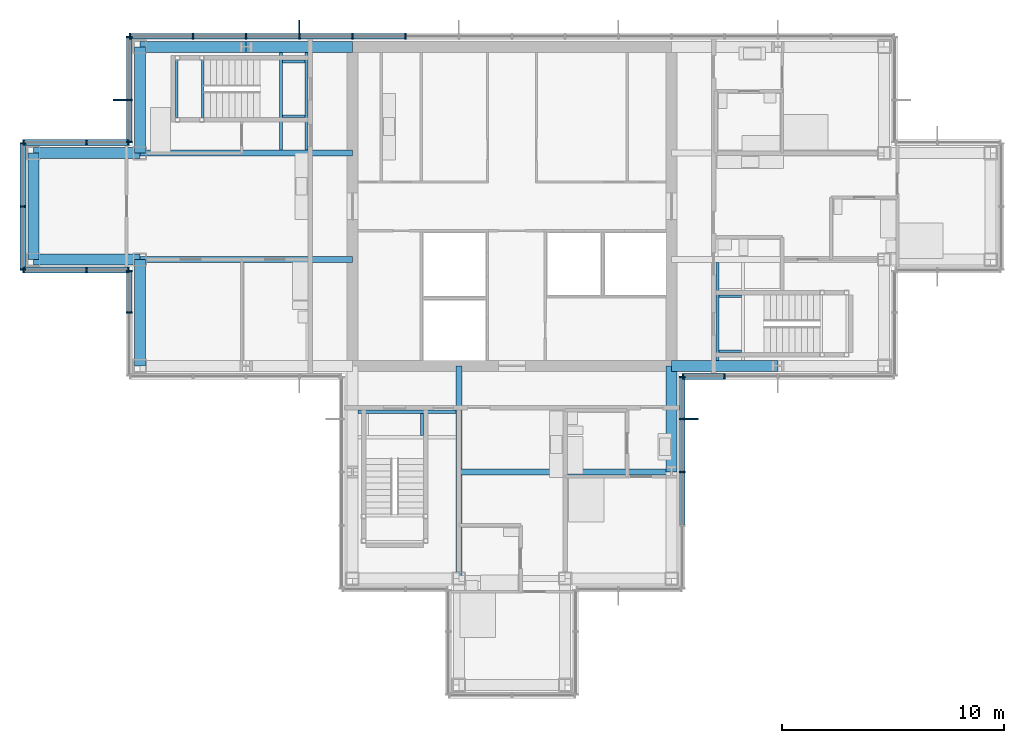
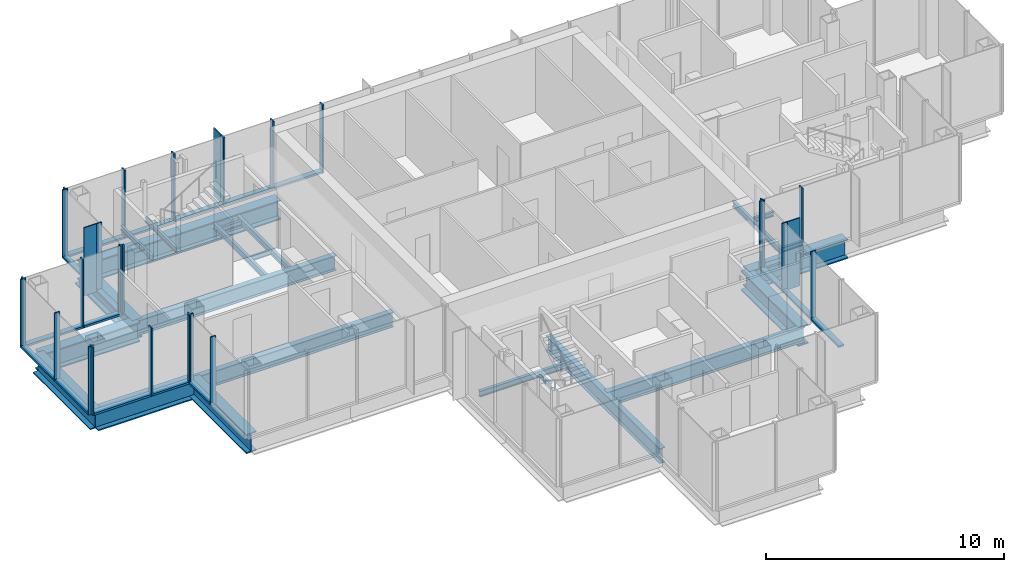
# One storey, part 6 of 15: 46 members, 24 beams, 8 elements without a shape of their own.
"""IFC4 building model written with IfcOpenShell, lengths in metres."""

from ifc_helpers import new_model, si_unit, direction, frame, origin, origin_2d, place, context, subcontext, project, spatial, rectangle, i_section, extrude, material, material_profile, profile_set, type_object, element, aggregate, save


model = new_model("IFC4")

# Units and contexts
model_context = context("Model", 3, precision=1e-05, world=origin(), true_north=direction((0.0, 1.0)))
body_context = subcontext(model_context, "Body", "Model", "MODEL_VIEW")
ifc_project = project(units=[si_unit("LENGTHUNIT", "METRE"), si_unit("AREAUNIT", "SQUARE_METRE"), si_unit("VOLUMEUNIT", "CUBIC_METRE"), si_unit("PLANEANGLEUNIT", "RADIAN"), si_unit("MASSUNIT", "GRAM", prefix="KILO")], contexts=[model_context])

# Site, building, storey
site_placement = place(None, origin())
site = spatial("IfcSite", under=ifc_project, at=site_placement, CompositionType="ELEMENT")
building_placement = place(site_placement, origin())
building = spatial("IfcBuilding", under=site, at=building_placement, Name="Kvirike Care Tower", CompositionType="ELEMENT")
storey_placement = place(building_placement, frame((0.0, 0.0, 222.5)))
storey = spatial("IfcBuildingStorey", under=building, at=storey_placement, Name="L61", CompositionType="ELEMENT", Elevation=222.5)

# Curtain wall, member
ifc_material_1 = material(Name="Anodised aluminium stick system", Category="aluminium")
curtain_wall_type = type_object("IfcCurtainWallType", Name="CW-D STICK CURTAIN WALL", PredefinedType="NOTDEFINED", material=ifc_material_1)
curtain_wall_1_placement = place(storey_placement, origin())
curtain_wall_1 = element("IfcCurtainWall", 1, at=curtain_wall_1_placement, inside=storey, type_object=curtain_wall_type, Name="Curtain wall L61 face 7", PredefinedType="NOTDEFINED")
ifc_material_2 = material(Name="Bronze anodised aluminium fin", Category="aluminium")
ifc_material_profile_1 = material_profile(ifc_material_2, rectangle(XDim=0.050048828125, YDim=0.60009765625, at=origin_2d()), Name="BRONZE FIN 600")
ifc_profile_set_1 = profile_set([ifc_material_profile_1], Name="Bronze anodised aluminium fin")
member_type_1 = type_object("IfcMemberType", Name="BRONZE FIN 600", PredefinedType="USERDEFINED", material=ifc_profile_set_1)
member_1_placement = place(storey_placement, frame((12.0, 44.110107421875, 0.0), z_axis=(0.0, 0.0, 1.0), x_axis=(-1.0, 0.0, 0.0)))
member_1 = element("IfcMember", 2, at=member_1_placement, type_object=member_type_1, Name="Bronze fin L61 face 7.12", ObjectType="FIN", PredefinedType="USERDEFINED", context=body_context, shape_type="SweptSolid", body=[
    extrude(rectangle(XDim=0.050048828125, YDim=0.60009765625, at=origin_2d()), origin(), (0.0, 0.0, 1.0), 3.5),
])

curtain_wall_2_placement = place(storey_placement, origin())
curtain_wall_2 = element("IfcCurtainWall", 3, at=curtain_wall_2_placement, inside=storey, type_object=curtain_wall_type, Name="Curtain wall L61 face 8", PredefinedType="NOTDEFINED")
member_2_placement = place(storey_placement, frame((3.889892578125, 40.800048828125, 0.0), z_axis=(0.0, 0.0, 1.0), x_axis=(0.0, -1.0, 0.0)))
member_2 = element("IfcMember", 4, at=member_2_placement, type_object=member_type_1, Name="Bronze fin L61 face 8.2", ObjectType="FIN", PredefinedType="USERDEFINED", context=body_context, shape_type="SweptSolid", body=[
    extrude(rectangle(XDim=0.050048828125, YDim=0.60009765625, at=origin_2d()), origin(), (0.0, 0.0, 1.0), 3.5),
])

curtain_wall_3_placement = place(storey_placement, origin())
curtain_wall_3 = element("IfcCurtainWall", 5, at=curtain_wall_3_placement, inside=storey, type_object=curtain_wall_type, Name="Curtain wall L61 face 20", PredefinedType="NOTDEFINED")
member_3_placement = place(storey_placement, frame((29.7099609375, 26.39990234375, 0.0), z_axis=(0.0, 0.0, 1.0), x_axis=(0.0, 1.0, 0.0)))
member_3 = element("IfcMember", 6, at=member_3_placement, type_object=member_type_1, Name="Bronze fin L61 face 20.4", ObjectType="FIN", PredefinedType="USERDEFINED", context=body_context, shape_type="SweptSolid", body=[
    extrude(rectangle(XDim=0.050048828125, YDim=0.60009765625, at=origin_2d()), origin(), (0.0, 0.0, 1.0), 3.5),
])

# Curtain wall, members
curtain_wall_4_placement = place(storey_placement, origin())
curtain_wall_4 = element("IfcCurtainWall", 7, at=curtain_wall_4_placement, inside=storey, type_object=curtain_wall_type, Name="Curtain wall L61 face 1", PredefinedType="NOTDEFINED")
ifc_material_3 = material(Name="Bronze anodised aluminium mullion", Category="aluminium")
ifc_material_profile_2 = material_profile(ifc_material_3, rectangle(XDim=0.06494140625, YDim=0.260009765625, at=origin_2d()), Name="CW-D MULLION 65x260")
ifc_profile_set_2 = profile_set([ifc_material_profile_2], Name="Bronze anodised aluminium mullion")
member_type_2 = type_object("IfcMemberType", Name="CW-D MULLION 65x260", PredefinedType="MULLION", material=ifc_profile_set_2)
member_4_placement = place(storey_placement, frame((29.3125, 28.320068359375, 0.0), z_axis=(0.0, 0.0, 1.0), x_axis=(1.0, 0.0, 0.0)))
member_4 = element("IfcMember", 8, at=member_4_placement, type_object=member_type_2, Name="CW-D mullion L61 face 1.1", PredefinedType="MULLION", context=body_context, shape_type="SweptSolid", body=[
    extrude(rectangle(XDim=0.06494140625, YDim=0.260009765625, at=origin_2d()), origin(), (0.0, 0.0, 1.0), 3.5),
])
member_5_placement = place(storey_placement, frame((31.199951171875, 28.320068359375, 0.0), z_axis=(0.0, 0.0, 1.0), x_axis=(1.0, 0.0, 0.0)))
member_5 = element("IfcMember", 9, at=member_5_placement, type_object=member_type_2, Name="CW-D mullion L61 face 1.2", PredefinedType="MULLION", context=body_context, shape_type="SweptSolid", body=[
    extrude(rectangle(XDim=0.06494140625, YDim=0.260009765625, at=origin_2d()), origin(), (0.0, 0.0, 1.0), 3.5),
])

# Member
member_6_placement = place(storey_placement, frame((16.800048828125, 43.679931640625, 0.0), z_axis=(0.0, 0.0, 1.0), x_axis=(-1.0, 0.0, 0.0)))
member_6 = element("IfcMember", 10, at=member_6_placement, type_object=member_type_2, Name="CW-D mullion L61 face 7.10", PredefinedType="MULLION", context=body_context, shape_type="SweptSolid", body=[
    extrude(rectangle(XDim=0.06494140625, YDim=0.260009765625, at=origin_2d()), origin(), (0.0, 0.0, 1.0), 3.5),
])

member_7_placement = place(storey_placement, frame((14.39990234375, 43.679931640625, 0.0), z_axis=(0.0, 0.0, 1.0), x_axis=(-1.0, 0.0, 0.0)))
member_7 = element("IfcMember", 11, at=member_7_placement, type_object=member_type_2, Name="CW-D mullion L61 face 7.11", PredefinedType="MULLION", context=body_context, shape_type="SweptSolid", body=[
    extrude(rectangle(XDim=0.06494140625, YDim=0.260009765625, at=origin_2d()), origin(), (0.0, 0.0, 1.0), 3.5),
])

member_8_placement = place(storey_placement, frame((12.0, 43.679931640625, 0.0), z_axis=(0.0, 0.0, 1.0), x_axis=(-1.0, 0.0, 0.0)))
member_8 = element("IfcMember", 12, at=member_8_placement, type_object=member_type_2, Name="CW-D mullion L61 face 7.12", PredefinedType="MULLION", context=body_context, shape_type="SweptSolid", body=[
    extrude(rectangle(XDim=0.06494140625, YDim=0.260009765625, at=origin_2d()), origin(), (0.0, 0.0, 1.0), 3.5),
])

member_9_placement = place(storey_placement, frame((9.60009765625, 43.679931640625, 0.0), z_axis=(0.0, 0.0, 1.0), x_axis=(-1.0, 0.0, 0.0)))
member_9 = element("IfcMember", 13, at=member_9_placement, type_object=member_type_2, Name="CW-D mullion L61 face 7.13", PredefinedType="MULLION", context=body_context, shape_type="SweptSolid", body=[
    extrude(rectangle(XDim=0.06494140625, YDim=0.260009765625, at=origin_2d()), origin(), (0.0, 0.0, 1.0), 3.5),
])

member_10_placement = place(storey_placement, frame((7.199951171875, 43.679931640625, 0.0), z_axis=(0.0, 0.0, 1.0), x_axis=(-1.0, 0.0, 0.0)))
member_10 = element("IfcMember", 14, at=member_10_placement, type_object=member_type_2, Name="CW-D mullion L61 face 7.14", PredefinedType="MULLION", context=body_context, shape_type="SweptSolid", body=[
    extrude(rectangle(XDim=0.06494140625, YDim=0.260009765625, at=origin_2d()), origin(), (0.0, 0.0, 1.0), 3.5),
])

member_11_placement = place(storey_placement, frame((4.3525390625, 43.679931640625, 0.0), z_axis=(0.0, 0.0, 1.0), x_axis=(-1.0, 0.0, 0.0)))
member_11 = element("IfcMember", 15, at=member_11_placement, type_object=member_type_2, Name="CW-D mullion L61 face 7.15", PredefinedType="MULLION", context=body_context, shape_type="SweptSolid", body=[
    extrude(rectangle(XDim=0.06494140625, YDim=0.260009765625, at=origin_2d()), origin(), (0.0, 0.0, 1.0), 3.5),
])

member_12_placement = place(storey_placement, frame((4.320068359375, 43.6474609375, 0.0), z_axis=(0.0, 0.0, 1.0), x_axis=(0.0, -1.0, 0.0)))
member_12 = element("IfcMember", 16, at=member_12_placement, type_object=member_type_2, Name="CW-D mullion L61 face 8.1", PredefinedType="MULLION", context=body_context, shape_type="SweptSolid", body=[
    extrude(rectangle(XDim=0.06494140625, YDim=0.260009765625, at=origin_2d()), origin(), (0.0, 0.0, 1.0), 3.5),
])

member_13_placement = place(storey_placement, frame((4.320068359375, 40.800048828125, 0.0), z_axis=(0.0, 0.0, 1.0), x_axis=(0.0, -1.0, 0.0)))
member_13 = element("IfcMember", 17, at=member_13_placement, type_object=member_type_2, Name="CW-D mullion L61 face 8.2", PredefinedType="MULLION", context=body_context, shape_type="SweptSolid", body=[
    extrude(rectangle(XDim=0.06494140625, YDim=0.260009765625, at=origin_2d()), origin(), (0.0, 0.0, 1.0), 3.5),
])

member_14_placement = place(storey_placement, frame((4.320068359375, 38.91259765625, 0.0), z_axis=(0.0, 0.0, 1.0), x_axis=(0.0, -1.0, 0.0)))
member_14 = element("IfcMember", 18, at=member_14_placement, type_object=member_type_2, Name="CW-D mullion L61 face 8.3", PredefinedType="MULLION", context=body_context, shape_type="SweptSolid", body=[
    extrude(rectangle(XDim=0.06494140625, YDim=0.260009765625, at=origin_2d()), origin(), (0.0, 0.0, 1.0), 3.5),
])

# Curtain wall, members
curtain_wall_5_placement = place(storey_placement, origin())
curtain_wall_5 = element("IfcCurtainWall", 19, at=curtain_wall_5_placement, inside=storey, type_object=curtain_wall_type, Name="Curtain wall L61 face 9", PredefinedType="NOTDEFINED")
member_15_placement = place(storey_placement, frame((4.28759765625, 38.8798828125, 0.0), z_axis=(0.0, 0.0, 1.0), x_axis=(-1.0, 0.0, 0.0)))
member_15 = element("IfcMember", 20, at=member_15_placement, type_object=member_type_2, Name="CW-D mullion L61 face 9.1", PredefinedType="MULLION", context=body_context, shape_type="SweptSolid", body=[
    extrude(rectangle(XDim=0.06494140625, YDim=0.260009765625, at=origin_2d()), origin(), (0.0, 0.0, 1.0), 3.5),
])
member_16_placement = place(storey_placement, frame((2.39990234375, 38.8798828125, 0.0), z_axis=(0.0, 0.0, 1.0), x_axis=(-1.0, 0.0, 0.0)))
member_16 = element("IfcMember", 21, at=member_16_placement, type_object=member_type_2, Name="CW-D mullion L61 face 9.2", PredefinedType="MULLION", context=body_context, shape_type="SweptSolid", body=[
    extrude(rectangle(XDim=0.06494140625, YDim=0.260009765625, at=origin_2d()), origin(), (0.0, 0.0, 1.0), 3.5),
])
member_17_placement = place(storey_placement, frame((-0.447509765625, 38.8798828125, 0.0), z_axis=(0.0, 0.0, 1.0), x_axis=(-1.0, 0.0, 0.0)))
member_17 = element("IfcMember", 22, at=member_17_placement, type_object=member_type_2, Name="CW-D mullion L61 face 9.3", PredefinedType="MULLION", context=body_context, shape_type="SweptSolid", body=[
    extrude(rectangle(XDim=0.06494140625, YDim=0.260009765625, at=origin_2d()), origin(), (0.0, 0.0, 1.0), 3.5),
])

curtain_wall_6_placement = place(storey_placement, origin())
curtain_wall_6 = element("IfcCurtainWall", 23, at=curtain_wall_6_placement, inside=storey, type_object=curtain_wall_type, Name="Curtain wall L61 face 10", PredefinedType="NOTDEFINED")
member_18_placement = place(storey_placement, frame((-0.47998046875, 38.847412109375, 0.0), z_axis=(0.0, 0.0, 1.0), x_axis=(0.0, -1.0, 0.0)))
member_18 = element("IfcMember", 24, at=member_18_placement, type_object=member_type_2, Name="CW-D mullion L61 face 10.1", PredefinedType="MULLION", context=body_context, shape_type="SweptSolid", body=[
    extrude(rectangle(XDim=0.06494140625, YDim=0.260009765625, at=origin_2d()), origin(), (0.0, 0.0, 1.0), 3.5),
])
member_19_placement = place(storey_placement, frame((-0.47998046875, 36.0, 0.0), z_axis=(0.0, 0.0, 1.0), x_axis=(0.0, -1.0, 0.0)))
member_19 = element("IfcMember", 25, at=member_19_placement, type_object=member_type_2, Name="CW-D mullion L61 face 10.2", PredefinedType="MULLION", context=body_context, shape_type="SweptSolid", body=[
    extrude(rectangle(XDim=0.06494140625, YDim=0.260009765625, at=origin_2d()), origin(), (0.0, 0.0, 1.0), 3.5),
])
member_20_placement = place(storey_placement, frame((-0.47998046875, 33.152587890625, 0.0), z_axis=(0.0, 0.0, 1.0), x_axis=(0.0, -1.0, 0.0)))
member_20 = element("IfcMember", 26, at=member_20_placement, type_object=member_type_2, Name="CW-D mullion L61 face 10.3", PredefinedType="MULLION", context=body_context, shape_type="SweptSolid", body=[
    extrude(rectangle(XDim=0.06494140625, YDim=0.260009765625, at=origin_2d()), origin(), (0.0, 0.0, 1.0), 3.5),
])

curtain_wall_7_placement = place(storey_placement, origin())
curtain_wall_7 = element("IfcCurtainWall", 27, at=curtain_wall_7_placement, inside=storey, type_object=curtain_wall_type, Name="Curtain wall L61 face 11", PredefinedType="NOTDEFINED")
member_21_placement = place(storey_placement, frame((-0.447509765625, 33.1201171875, 0.0), z_axis=(0.0, 0.0, 1.0), x_axis=(1.0, 0.0, 0.0)))
member_21 = element("IfcMember", 28, at=member_21_placement, type_object=member_type_2, Name="CW-D mullion L61 face 11.1", PredefinedType="MULLION", context=body_context, shape_type="SweptSolid", body=[
    extrude(rectangle(XDim=0.06494140625, YDim=0.260009765625, at=origin_2d()), origin(), (0.0, 0.0, 1.0), 3.5),
])
member_22_placement = place(storey_placement, frame((2.39990234375, 33.1201171875, 0.0), z_axis=(0.0, 0.0, 1.0), x_axis=(1.0, 0.0, 0.0)))
member_22 = element("IfcMember", 29, at=member_22_placement, type_object=member_type_2, Name="CW-D mullion L61 face 11.2", PredefinedType="MULLION", context=body_context, shape_type="SweptSolid", body=[
    extrude(rectangle(XDim=0.06494140625, YDim=0.260009765625, at=origin_2d()), origin(), (0.0, 0.0, 1.0), 3.5),
])
member_23_placement = place(storey_placement, frame((4.28759765625, 33.1201171875, 0.0), z_axis=(0.0, 0.0, 1.0), x_axis=(1.0, 0.0, 0.0)))
member_23 = element("IfcMember", 30, at=member_23_placement, type_object=member_type_2, Name="CW-D mullion L61 face 11.3", PredefinedType="MULLION", context=body_context, shape_type="SweptSolid", body=[
    extrude(rectangle(XDim=0.06494140625, YDim=0.260009765625, at=origin_2d()), origin(), (0.0, 0.0, 1.0), 3.5),
])

curtain_wall_8_placement = place(storey_placement, origin())
curtain_wall_8 = element("IfcCurtainWall", 31, at=curtain_wall_8_placement, inside=storey, type_object=curtain_wall_type, Name="Curtain wall L61 face 12", PredefinedType="NOTDEFINED")
member_24_placement = place(storey_placement, frame((4.320068359375, 33.08740234375, 0.0), z_axis=(0.0, 0.0, 1.0), x_axis=(0.0, -1.0, 0.0)))
member_24 = element("IfcMember", 32, at=member_24_placement, type_object=member_type_2, Name="CW-D mullion L61 face 12.1", PredefinedType="MULLION", context=body_context, shape_type="SweptSolid", body=[
    extrude(rectangle(XDim=0.06494140625, YDim=0.260009765625, at=origin_2d()), origin(), (0.0, 0.0, 1.0), 3.5),
])
member_25_placement = place(storey_placement, frame((4.320068359375, 31.199951171875, 0.0), z_axis=(0.0, 0.0, 1.0), x_axis=(0.0, -1.0, 0.0)))
member_25 = element("IfcMember", 33, at=member_25_placement, type_object=member_type_2, Name="CW-D mullion L61 face 12.2", PredefinedType="MULLION", context=body_context, shape_type="SweptSolid", body=[
    extrude(rectangle(XDim=0.06494140625, YDim=0.260009765625, at=origin_2d()), origin(), (0.0, 0.0, 1.0), 3.5),
])

# Member
member_26_placement = place(storey_placement, frame((29.280029296875, 24.0, 0.0), z_axis=(0.0, 0.0, 1.0), x_axis=(0.0, 1.0, 0.0)))
member_26 = element("IfcMember", 34, at=member_26_placement, type_object=member_type_2, Name="CW-D mullion L61 face 20.3", PredefinedType="MULLION", context=body_context, shape_type="SweptSolid", body=[
    extrude(rectangle(XDim=0.06494140625, YDim=0.260009765625, at=origin_2d()), origin(), (0.0, 0.0, 1.0), 3.5),
])

member_27_placement = place(storey_placement, frame((29.280029296875, 26.39990234375, 0.0), z_axis=(0.0, 0.0, 1.0), x_axis=(0.0, 1.0, 0.0)))
member_27 = element("IfcMember", 35, at=member_27_placement, type_object=member_type_2, Name="CW-D mullion L61 face 20.4", PredefinedType="MULLION", context=body_context, shape_type="SweptSolid", body=[
    extrude(rectangle(XDim=0.06494140625, YDim=0.260009765625, at=origin_2d()), origin(), (0.0, 0.0, 1.0), 3.5),
])

member_28_placement = place(storey_placement, frame((29.280029296875, 28.28759765625, 0.0), z_axis=(0.0, 0.0, 1.0), x_axis=(0.0, 1.0, 0.0)))
member_28 = element("IfcMember", 36, at=member_28_placement, type_object=member_type_2, Name="CW-D mullion L61 face 20.5", PredefinedType="MULLION", context=body_context, shape_type="SweptSolid", body=[
    extrude(rectangle(XDim=0.06494140625, YDim=0.260009765625, at=origin_2d()), origin(), (0.0, 0.0, 1.0), 3.5),
])

ifc_material_4 = material(Name="Bronze anodised aluminium transom", Category="aluminium")
ifc_material_profile_3 = material_profile(ifc_material_4, rectangle(XDim=0.260009765625, YDim=0.10009765625, at=origin_2d()), Name="CW-D TRANSOM 260x100")
ifc_profile_set_3 = profile_set([ifc_material_profile_3], Name="Bronze anodised aluminium transom")
member_type_3 = type_object("IfcMemberType", Name="CW-D TRANSOM 260x100", PredefinedType="USERDEFINED", material=ifc_profile_set_3)
member_29_placement = place(storey_placement, frame((29.344970703125, 28.320068359375, 0.050048828125), z_axis=(1.0, 0.0, 0.0), x_axis=(0.0, 1.0, 0.0)))
member_29 = element("IfcMember", 37, at=member_29_placement, type_object=member_type_3, Name="CW-D sill transom L61 face 1.1", ObjectType="TRANSOM", PredefinedType="USERDEFINED", context=body_context, shape_type="SweptSolid", body=[
    extrude(rectangle(XDim=0.260009765625, YDim=0.10009765625, at=origin_2d()), origin(), (0.0, 0.0, 1.0), 1.822509765625),
])

aggregate(curtain_wall_4, [member_4, member_5, member_29])

member_30_placement = place(storey_placement, frame((16.767578125, 43.679931640625, 0.050048828125), z_axis=(-1.0, 0.0, 0.0), x_axis=(0.0, -1.0, 0.0)))
member_30 = element("IfcMember", 38, at=member_30_placement, type_object=member_type_3, Name="CW-D sill transom L61 face 7.10", ObjectType="TRANSOM", PredefinedType="USERDEFINED", context=body_context, shape_type="SweptSolid", body=[
    extrude(rectangle(XDim=0.260009765625, YDim=0.10009765625, at=origin_2d()), origin(), (0.0, 0.0, 1.0), 2.3349609375),
])

member_31_placement = place(storey_placement, frame((14.367431640625, 43.679931640625, 0.050048828125), z_axis=(-1.0, 0.0, 0.0), x_axis=(0.0, -1.0, 0.0)))
member_31 = element("IfcMember", 39, at=member_31_placement, type_object=member_type_3, Name="CW-D sill transom L61 face 7.11", ObjectType="TRANSOM", PredefinedType="USERDEFINED", context=body_context, shape_type="SweptSolid", body=[
    extrude(rectangle(XDim=0.260009765625, YDim=0.10009765625, at=origin_2d()), origin(), (0.0, 0.0, 1.0), 2.3349609375),
])

member_32_placement = place(storey_placement, frame((11.967529296875, 43.679931640625, 0.050048828125), z_axis=(-1.0, 0.0, 0.0), x_axis=(0.0, -1.0, 0.0)))
member_32 = element("IfcMember", 40, at=member_32_placement, type_object=member_type_3, Name="CW-D sill transom L61 face 7.12", ObjectType="TRANSOM", PredefinedType="USERDEFINED", context=body_context, shape_type="SweptSolid", body=[
    extrude(rectangle(XDim=0.260009765625, YDim=0.10009765625, at=origin_2d()), origin(), (0.0, 0.0, 1.0), 2.3349609375),
])

member_33_placement = place(storey_placement, frame((9.5673828125, 43.679931640625, 0.050048828125), z_axis=(-1.0, 0.0, 0.0), x_axis=(0.0, -1.0, 0.0)))
member_33 = element("IfcMember", 41, at=member_33_placement, type_object=member_type_3, Name="CW-D sill transom L61 face 7.13", ObjectType="TRANSOM", PredefinedType="USERDEFINED", context=body_context, shape_type="SweptSolid", body=[
    extrude(rectangle(XDim=0.260009765625, YDim=0.10009765625, at=origin_2d()), origin(), (0.0, 0.0, 1.0), 2.3349609375),
])

member_34_placement = place(storey_placement, frame((7.16748046875, 43.679931640625, 0.050048828125), z_axis=(-1.0, 0.0, 0.0), x_axis=(0.0, -1.0, 0.0)))
member_34 = element("IfcMember", 42, at=member_34_placement, type_object=member_type_3, Name="CW-D sill transom L61 face 7.14", ObjectType="TRANSOM", PredefinedType="USERDEFINED", context=body_context, shape_type="SweptSolid", body=[
    extrude(rectangle(XDim=0.260009765625, YDim=0.10009765625, at=origin_2d()), origin(), (0.0, 0.0, 1.0), 2.782470703125),
])

aggregate(curtain_wall_1, [member_6, member_7, member_8, member_1, member_9, member_10, member_11, member_30, member_31, member_32, member_33, member_34])

member_35_placement = place(storey_placement, frame((4.320068359375, 43.614990234375, 0.050048828125), z_axis=(0.0, -1.0, 0.0), x_axis=(1.0, 0.0, 0.0)))
member_35 = element("IfcMember", 43, at=member_35_placement, type_object=member_type_3, Name="CW-D sill transom L61 face 8.1", ObjectType="TRANSOM", PredefinedType="USERDEFINED", context=body_context, shape_type="SweptSolid", body=[
    extrude(rectangle(XDim=0.260009765625, YDim=0.10009765625, at=origin_2d()), origin(), (0.0, 0.0, 1.0), 2.782470703125),
])

member_36_placement = place(storey_placement, frame((4.320068359375, 40.767578125, 0.050048828125), z_axis=(0.0, -1.0, 0.0), x_axis=(1.0, 0.0, 0.0)))
member_36 = element("IfcMember", 44, at=member_36_placement, type_object=member_type_3, Name="CW-D sill transom L61 face 8.2", ObjectType="TRANSOM", PredefinedType="USERDEFINED", context=body_context, shape_type="SweptSolid", body=[
    extrude(rectangle(XDim=0.260009765625, YDim=0.10009765625, at=origin_2d()), origin(), (0.0, 0.0, 1.0), 1.822509765625),
])

aggregate(curtain_wall_2, [member_12, member_13, member_2, member_14, member_35, member_36])

member_37_placement = place(storey_placement, frame((4.2548828125, 38.8798828125, 0.050048828125), z_axis=(-1.0, 0.0, 0.0), x_axis=(0.0, -1.0, 0.0)))
member_37 = element("IfcMember", 45, at=member_37_placement, type_object=member_type_3, Name="CW-D sill transom L61 face 9.1", ObjectType="TRANSOM", PredefinedType="USERDEFINED", context=body_context, shape_type="SweptSolid", body=[
    extrude(rectangle(XDim=0.260009765625, YDim=0.10009765625, at=origin_2d()), origin(), (0.0, 0.0, 1.0), 1.822265625),
])

member_38_placement = place(storey_placement, frame((2.367431640625, 38.8798828125, 0.050048828125), z_axis=(-1.0, 0.0, 0.0), x_axis=(0.0, -1.0, 0.0)))
member_38 = element("IfcMember", 46, at=member_38_placement, type_object=member_type_3, Name="CW-D sill transom L61 face 9.2", ObjectType="TRANSOM", PredefinedType="USERDEFINED", context=body_context, shape_type="SweptSolid", body=[
    extrude(rectangle(XDim=0.260009765625, YDim=0.10009765625, at=origin_2d()), origin(), (0.0, 0.0, 1.0), 2.782470703125),
])

aggregate(curtain_wall_5, [member_15, member_16, member_17, member_37, member_38])

member_39_placement = place(storey_placement, frame((-0.47998046875, 38.81494140625, 0.050048828125), z_axis=(0.0, -1.0, 0.0), x_axis=(1.0, 0.0, 0.0)))
member_39 = element("IfcMember", 47, at=member_39_placement, type_object=member_type_3, Name="CW-D sill transom L61 face 10.1", ObjectType="TRANSOM", PredefinedType="USERDEFINED", context=body_context, shape_type="SweptSolid", body=[
    extrude(rectangle(XDim=0.260009765625, YDim=0.10009765625, at=origin_2d()), origin(), (0.0, 0.0, 1.0), 2.782470703125),
])

member_40_placement = place(storey_placement, frame((-0.47998046875, 35.967529296875, 0.050048828125), z_axis=(0.0, -1.0, 0.0), x_axis=(1.0, 0.0, 0.0)))
member_40 = element("IfcMember", 48, at=member_40_placement, type_object=member_type_3, Name="CW-D sill transom L61 face 10.2", ObjectType="TRANSOM", PredefinedType="USERDEFINED", context=body_context, shape_type="SweptSolid", body=[
    extrude(rectangle(XDim=0.260009765625, YDim=0.10009765625, at=origin_2d()), origin(), (0.0, 0.0, 1.0), 2.782470703125),
])

aggregate(curtain_wall_6, [member_18, member_19, member_20, member_39, member_40])

member_41_placement = place(storey_placement, frame((-0.4150390625, 33.1201171875, 0.050048828125), z_axis=(1.0, 0.0, 0.0), x_axis=(0.0, 1.0, 0.0)))
member_41 = element("IfcMember", 49, at=member_41_placement, type_object=member_type_3, Name="CW-D sill transom L61 face 11.1", ObjectType="TRANSOM", PredefinedType="USERDEFINED", context=body_context, shape_type="SweptSolid", body=[
    extrude(rectangle(XDim=0.260009765625, YDim=0.10009765625, at=origin_2d()), origin(), (0.0, 0.0, 1.0), 2.782470703125),
])

member_42_placement = place(storey_placement, frame((2.4326171875, 33.1201171875, 0.050048828125), z_axis=(1.0, 0.0, 0.0), x_axis=(0.0, 1.0, 0.0)))
member_42 = element("IfcMember", 50, at=member_42_placement, type_object=member_type_3, Name="CW-D sill transom L61 face 11.2", ObjectType="TRANSOM", PredefinedType="USERDEFINED", context=body_context, shape_type="SweptSolid", body=[
    extrude(rectangle(XDim=0.260009765625, YDim=0.10009765625, at=origin_2d()), origin(), (0.0, 0.0, 1.0), 1.822265625),
])

aggregate(curtain_wall_7, [member_21, member_22, member_23, member_41, member_42])

member_43_placement = place(storey_placement, frame((4.320068359375, 33.054931640625, 0.050048828125), z_axis=(0.0, -1.0, 0.0), x_axis=(1.0, 0.0, 0.0)))
member_43 = element("IfcMember", 51, at=member_43_placement, type_object=member_type_3, Name="CW-D sill transom L61 face 12.1", ObjectType="TRANSOM", PredefinedType="USERDEFINED", context=body_context, shape_type="SweptSolid", body=[
    extrude(rectangle(XDim=0.260009765625, YDim=0.10009765625, at=origin_2d()), origin(), (0.0, 0.0, 1.0), 1.822509765625),
])

aggregate(curtain_wall_8, [member_24, member_25, member_43])

member_44_placement = place(storey_placement, frame((29.280029296875, 21.632568359375, 0.050048828125), z_axis=(0.0, 1.0, 0.0), x_axis=(-1.0, 0.0, 0.0)))
member_44 = element("IfcMember", 52, at=member_44_placement, type_object=member_type_3, Name="CW-D sill transom L61 face 20.2", ObjectType="TRANSOM", PredefinedType="USERDEFINED", context=body_context, shape_type="SweptSolid", body=[
    extrude(rectangle(XDim=0.260009765625, YDim=0.10009765625, at=origin_2d()), origin(), (0.0, 0.0, 1.0), 2.3349609375),
])

member_45_placement = place(storey_placement, frame((29.280029296875, 24.032470703125, 0.050048828125), z_axis=(0.0, 1.0, 0.0), x_axis=(-1.0, 0.0, 0.0)))
member_45 = element("IfcMember", 53, at=member_45_placement, type_object=member_type_3, Name="CW-D sill transom L61 face 20.3", ObjectType="TRANSOM", PredefinedType="USERDEFINED", context=body_context, shape_type="SweptSolid", body=[
    extrude(rectangle(XDim=0.260009765625, YDim=0.10009765625, at=origin_2d()), origin(), (0.0, 0.0, 1.0), 2.3349609375),
])

member_46_placement = place(storey_placement, frame((29.280029296875, 26.4326171875, 0.050048828125), z_axis=(0.0, 1.0, 0.0), x_axis=(-1.0, 0.0, 0.0)))
member_46 = element("IfcMember", 54, at=member_46_placement, type_object=member_type_3, Name="CW-D sill transom L61 face 20.4", ObjectType="TRANSOM", PredefinedType="USERDEFINED", context=body_context, shape_type="SweptSolid", body=[
    extrude(rectangle(XDim=0.260009765625, YDim=0.10009765625, at=origin_2d()), origin(), (0.0, 0.0, 1.0), 1.822265625),
])

aggregate(curtain_wall_3, [member_26, member_27, member_3, member_28, member_44, member_45, member_46])

# Beams
ifc_material_5 = material(Name="Steel S355", Category="steel")
ifc_material_profile_4 = material_profile(ifc_material_5, i_section(OverallWidth=0.26806640625, OverallDepth=0.77001953125, WebThickness=0.015625, FlangeThickness=0.025390625, FilletRadius=0.01708984375, at=origin_2d()), Name="IPE 750x196")
ifc_profile_set_4 = profile_set([ifc_material_profile_4], Name="Steel S355")
beam_type_1 = type_object("IfcBeamType", Name="FLOOR BEAM IPE 750x196", PredefinedType="BEAM", material=ifc_profile_set_4)
beam_1_placement = place(storey_placement, frame((19.199951171875, 24.0, -0.554931640625), z_axis=(1.0, 0.0, 0.0), x_axis=(0.0, 1.0, 0.0)))
element("IfcBeam", 55, at=beam_1_placement, inside=storey, type_object=beam_type_1, Name="Floor Beam F7-F9 L61", PredefinedType="BEAM", context=body_context, shape_type="SweptSolid", body=[
    extrude(i_section(OverallWidth=0.26806640625, OverallDepth=0.77001953125, WebThickness=0.015625, FlangeThickness=0.025390625, FilletRadius=0.01708984375, at=origin_2d()), origin(), (0.0, 0.0, 1.0), 9.60009765625),
])
for number, where, z_axis, x_axis, name in (
    (56, (4.800048828125, 33.60009765625, -0.554931640625), (1.0, 0.0, 0.0), (0.0, 1.0, 0.0), "Floor Beam H4-H6 L61"),
    (57, (4.800048828125, 38.39990234375, -0.554931640625), (1.0, 0.0, 0.0), (0.0, 1.0, 0.0), "Floor Beam J4-J6 L61"),
):
    element("IfcBeam", number, at=place(storey_placement, frame(where, z_axis=z_axis, x_axis=x_axis)), inside=storey, type_object=beam_type_1, Name=name, PredefinedType="BEAM", context=body_context, shape_type="SweptSolid", body=[
        extrude(i_section(OverallWidth=0.26806640625, OverallDepth=0.77001953125, WebThickness=0.015625, FlangeThickness=0.025390625, FilletRadius=0.01708984375, at=origin_2d()), origin(), (0.0, 0.0, 1.0), 9.599853515625),
    ])
beam_2_placement = place(storey_placement, frame((19.199951171875, 19.199951171875, -0.554931640625), z_axis=(0.0, 1.0, 0.0), x_axis=(-1.0, 0.0, 0.0)))
element("IfcBeam", 58, at=beam_2_placement, inside=storey, type_object=beam_type_1, Name="Floor Beam E7-G7 L61", PredefinedType="BEAM", context=body_context, shape_type="SweptSolid", body=[
    extrude(i_section(OverallWidth=0.26806640625, OverallDepth=0.77001953125, WebThickness=0.015625, FlangeThickness=0.025390625, FilletRadius=0.01708984375, at=origin_2d()), origin(), (0.0, 0.0, 1.0), 9.60009765625),
])
ifc_material_6 = material(Name="Steel S355", Category="steel")
ifc_material_profile_5 = material_profile(ifc_material_6, i_section(OverallWidth=0.5, OverallDepth=1.0, WebThickness=0.030029296875, FlangeThickness=0.06005859375, at=origin_2d()), Name="PG 1000x500x30x60")
ifc_profile_set_5 = profile_set([ifc_material_profile_5], Name="Steel S355")
beam_type_2 = type_object("IfcBeamType", Name="SPANDREL PG 1000x500x30x60", PredefinedType="SPANDREL", material=ifc_profile_set_5)
for number, where, z_axis, x_axis, name in (
    (59, (28.800048828125, 28.800048828125, -0.669921875), (1.0, 0.0, 0.0), (0.0, 1.0, 0.0), "Spandrel G9-G10 L61"),
    (60, (0.0, 33.60009765625, -0.669921875), (1.0, 0.0, 0.0), (0.0, 1.0, 0.0), "Spandrel H3-H4 L61"),
    (61, (0.0, 38.39990234375, -0.669921875), (1.0, 0.0, 0.0), (0.0, 1.0, 0.0), "Spandrel J3-J4 L61"),
    (62, (4.800048828125, 43.199951171875, -0.669921875), (1.0, 0.0, 0.0), (0.0, 1.0, 0.0), "Spandrel K4-K5 L61"),
):
    element("IfcBeam", number, at=place(storey_placement, frame(where, z_axis=z_axis, x_axis=x_axis)), inside=storey, type_object=beam_type_2, Name=name, PredefinedType="SPANDREL", context=body_context, shape_type="SweptSolid", body=[
        extrude(i_section(OverallWidth=0.5, OverallDepth=1.0, WebThickness=0.030029296875, FlangeThickness=0.06005859375, at=origin_2d()), origin(), (0.0, 0.0, 1.0), 4.800048828125),
    ])
for number, where, z_axis, x_axis, name in (
    (63, (9.60009765625, 43.199951171875, -0.669921875), (1.0, 0.0, 0.0), (0.0, 1.0, 0.0), "Spandrel K5-K6 L61"),
    (64, (0.0, 33.60009765625, -0.669921875), (0.0, 1.0, 0.0), (-1.0, 0.0, 0.0), "Spandrel H3-J3 L61"),
):
    element("IfcBeam", number, at=place(storey_placement, frame(where, z_axis=z_axis, x_axis=x_axis)), inside=storey, type_object=beam_type_2, Name=name, PredefinedType="SPANDREL", context=body_context, shape_type="SweptSolid", body=[
        extrude(i_section(OverallWidth=0.5, OverallDepth=1.0, WebThickness=0.030029296875, FlangeThickness=0.06005859375, at=origin_2d()), origin(), (0.0, 0.0, 1.0), 4.7998046875),
    ])
for number, where, z_axis, x_axis, name in (
    (65, (4.800048828125, 28.800048828125, -0.669921875), (0.0, 1.0, 0.0), (-1.0, 0.0, 0.0), "Spandrel G4-H4 L61"),
    (66, (4.800048828125, 38.39990234375, -0.669921875), (0.0, 1.0, 0.0), (-1.0, 0.0, 0.0), "Spandrel J4-K4 L61"),
    (67, (28.800048828125, 24.0, -0.669921875), (0.0, 1.0, 0.0), (-1.0, 0.0, 0.0), "Spandrel F9-G9 L61"),
):
    element("IfcBeam", number, at=place(storey_placement, frame(where, z_axis=z_axis, x_axis=x_axis)), inside=storey, type_object=beam_type_2, Name=name, PredefinedType="SPANDREL", context=body_context, shape_type="SweptSolid", body=[
        extrude(i_section(OverallWidth=0.5, OverallDepth=1.0, WebThickness=0.030029296875, FlangeThickness=0.06005859375, at=origin_2d()), origin(), (0.0, 0.0, 1.0), 4.800048828125),
    ])
ifc_material_7 = material(Name="Steel S355", Category="steel")
ifc_material_profile_6 = material_profile(ifc_material_7, i_section(OverallWidth=0.1201171875, OverallDepth=0.239990234375, WebThickness=0.006103515625, FlangeThickness=0.009765625, FilletRadius=0.014892578125, at=origin_2d()), Name="IPE 240")
ifc_profile_set_6 = profile_set([ifc_material_profile_6], Name="Steel S355")
beam_type_3 = type_object("IfcBeamType", Name="STAIR LANDING BEAM IPE 240", PredefinedType="BEAM", material=ifc_profile_set_6)
for number, where, z_axis, x_axis, name in (
    (68, (6.4599609375, 42.60009765625, 1.429931640625), (0.0, -1.0, 0.0), (1.0, 0.0, 0.0), "Stair 1 landing beam back L61"),
    (69, (7.639892578125, 42.60009765625, 1.429931640625), (0.0, -1.0, 0.0), (1.0, 0.0, 0.0), "Stair 1 landing beam front L61"),
):
    element("IfcBeam", number, at=place(storey_placement, frame(where, z_axis=z_axis, x_axis=x_axis)), inside=storey, type_object=beam_type_3, Name=name, PredefinedType="BEAM", context=body_context, shape_type="SweptSolid", body=[
        extrude(i_section(OverallWidth=0.1201171875, OverallDepth=0.239990234375, WebThickness=0.006103515625, FlangeThickness=0.009765625, FilletRadius=0.014892578125, at=origin_2d()), origin(), (0.0, 0.0, 1.0), 2.60009765625),
    ])
for number, where, z_axis, x_axis, name in (
    (70, (11.25, 42.5400390625, -0.320068359375), (1.0, 0.0, 0.0), (0.0, 1.0, 0.0), "Stair 1 landing edge beam 1 L61"),
    (71, (11.25, 40.06005859375, -0.320068359375), (1.0, 0.0, 0.0), (0.0, 1.0, 0.0), "Stair 1 landing edge beam 2 L61"),
    (72, (31.949951171875, 29.4599609375, -0.320068359375), (-1.0, 0.0, 0.0), (0.0, -1.0, 0.0), "Stair 2 landing edge beam 1 L61"),
    (73, (31.949951171875, 31.93994140625, -0.320068359375), (-1.0, 0.0, 0.0), (0.0, -1.0, 0.0), "Stair 2 landing edge beam 2 L61"),
    (74, (17.5400390625, 25.64990234375, -0.320068359375), (0.0, 1.0, 0.0), (-1.0, 0.0, 0.0), "Stair 5 landing edge beam 2 L61"),
):
    element("IfcBeam", number, at=place(storey_placement, frame(where, z_axis=z_axis, x_axis=x_axis)), inside=storey, type_object=beam_type_3, Name=name, PredefinedType="BEAM", context=body_context, shape_type="SweptSolid", body=[
        extrude(i_section(OverallWidth=0.1201171875, OverallDepth=0.239990234375, WebThickness=0.006103515625, FlangeThickness=0.009765625, FilletRadius=0.014892578125, at=origin_2d()), origin(), (0.0, 0.0, 1.0), 1.0),
    ])
ifc_material_8 = material(Name="Steel S355", Category="steel")
ifc_material_profile_7 = material_profile(ifc_material_8, i_section(OverallWidth=0.14990234375, OverallDepth=0.300048828125, WebThickness=0.007080078125, FlangeThickness=0.0107421875, FilletRadius=0.014892578125, at=origin_2d()), Name="IPE 300")
ifc_profile_set_7 = profile_set([ifc_material_profile_7], Name="Steel S355")
beam_type_4 = type_object("IfcBeamType", Name="STAIR TRIMMER IPE 300", PredefinedType="BEAM", material=ifc_profile_set_7)
for number, where, z_axis, x_axis, name in (
    (75, (11.175048828125, 42.949951171875, -0.35009765625), (0.0, -1.0, 0.0), (1.0, 0.0, 0.0), "Stair 1 trimmer 1 L61"),
    (76, (12.324951171875, 42.949951171875, -0.35009765625), (0.0, -1.0, 0.0), (1.0, 0.0, 0.0), "Stair 1 trimmer 2 L61"),
    (77, (30.875, 29.050048828125, -0.35009765625), (0.0, 1.0, 0.0), (-1.0, 0.0, 0.0), "Stair 2 trimmer 2 L61"),
    (78, (14.64990234375, 26.72509765625, -0.35009765625), (1.0, 0.0, 0.0), (0.0, 1.0, 0.0), "Stair 5 trimmer 2 L61"),
):
    element("IfcBeam", number, at=place(storey_placement, frame(where, z_axis=z_axis, x_axis=x_axis)), inside=storey, type_object=beam_type_4, Name=name, PredefinedType="BEAM", context=body_context, shape_type="SweptSolid", body=[
        extrude(i_section(OverallWidth=0.14990234375, OverallDepth=0.300048828125, WebThickness=0.007080078125, FlangeThickness=0.0107421875, FilletRadius=0.014892578125, at=origin_2d()), origin(), (0.0, 0.0, 1.0), 4.416015625),
    ])

save(model, "model.ifc")
